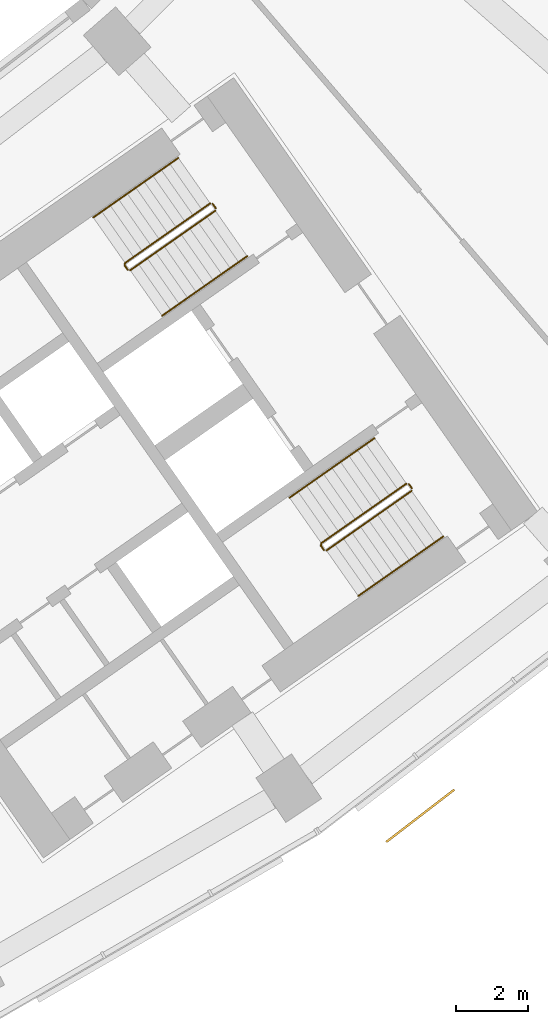
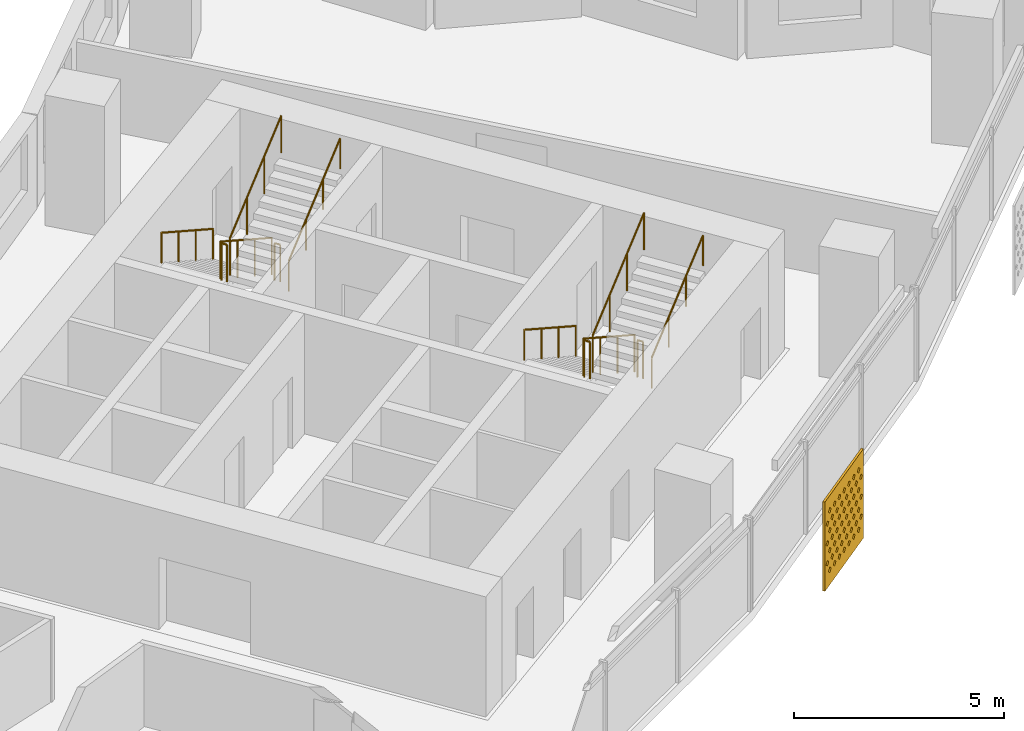
# One storey, part 28 of 29: 10 railings, 1 shading device.
"""IFC4 building model written with IfcOpenShell, lengths in metres."""

from ifc_helpers import new_model, si_unit, direction, frame, origin, origin_2d, place, context, subcontext, project, spatial, polyline, circle, outline, extrude, material, material_profile, profile_set, type_object, element, save


model = new_model("IFC4")

# Units and contexts
model_context = context("Model", 3, precision=1e-05, world=origin(), true_north=direction((0.0, 1.0)))
body_context = subcontext(model_context, "Body", "Model", "MODEL_VIEW")
ifc_project = project(units=[si_unit("LENGTHUNIT", "METRE"), si_unit("AREAUNIT", "SQUARE_METRE"), si_unit("VOLUMEUNIT", "CUBIC_METRE"), si_unit("PLANEANGLEUNIT", "RADIAN"), si_unit("MASSUNIT", "GRAM", prefix="KILO")], contexts=[model_context])

# Site, building, storey
site_placement = place(None, origin())
site = spatial("IfcSite", under=ifc_project, at=site_placement, CompositionType="ELEMENT")
building_placement = place(site_placement, origin())
building = spatial("IfcBuilding", under=site, at=building_placement, Name="Qamariyya Broadcast Tower", CompositionType="ELEMENT")
storey_placement = place(building_placement, frame((0.0, 0.0, 113.89990234375)))
storey = spatial("IfcBuildingStorey", under=building, at=storey_placement, Name="L25", CompositionType="ELEMENT", Elevation=113.89990234375)

# Shading device
ifc_material_1 = material(Name="Perforated glazed terracotta", Category="masonry")
ifc_material_profile = material_profile(ifc_material_1, outline(polyline([(-1.199951171875, -1.300048828125), (1.199951171875, -1.300048828125), (1.199951171875, 1.300048828125), (-1.199951171875, 1.300048828125), (-1.199951171875, -1.300048828125)]), holes=[polyline([(-0.81494140625, -0.86669921875), (-0.89990234375, -0.78173828125), (-0.985107421875, -0.86669921875), (-0.89990234375, -0.95166015625), (-0.81494140625, -0.86669921875)]), polyline([(-0.514892578125, -0.86669921875), (-0.60009765625, -0.78173828125), (-0.68505859375, -0.86669921875), (-0.60009765625, -0.95166015625), (-0.514892578125, -0.86669921875)]), polyline([(-0.215087890625, -0.86669921875), (-0.300048828125, -0.78173828125), (-0.385009765625, -0.86669921875), (-0.300048828125, -0.95166015625), (-0.215087890625, -0.86669921875)]), polyline([(0.0849609375, -0.86669921875), (0.0, -0.78173828125), (-0.0849609375, -0.86669921875), (0.0, -0.95166015625), (0.0849609375, -0.86669921875)]), polyline([(0.385009765625, -0.86669921875), (0.300048828125, -0.78173828125), (0.215087890625, -0.86669921875), (0.300048828125, -0.95166015625), (0.385009765625, -0.86669921875)]), polyline([(0.68505859375, -0.86669921875), (0.60009765625, -0.78173828125), (0.514892578125, -0.86669921875), (0.60009765625, -0.95166015625), (0.68505859375, -0.86669921875)]), polyline([(0.985107421875, -0.86669921875), (0.89990234375, -0.78173828125), (0.81494140625, -0.86669921875), (0.89990234375, -0.95166015625), (0.985107421875, -0.86669921875)]), polyline([(-0.965087890625, -0.577880859375), (-1.050048828125, -0.49267578125), (-1.135009765625, -0.577880859375), (-1.050048828125, -0.662841796875), (-0.965087890625, -0.577880859375)]), polyline([(-0.6650390625, -0.577880859375), (-0.75, -0.49267578125), (-0.8349609375, -0.577880859375), (-0.75, -0.662841796875), (-0.6650390625, -0.577880859375)]), polyline([(-0.364990234375, -0.577880859375), (-0.449951171875, -0.49267578125), (-0.534912109375, -0.577880859375), (-0.449951171875, -0.662841796875), (-0.364990234375, -0.577880859375)]), polyline([(-0.06494140625, -0.577880859375), (-0.14990234375, -0.49267578125), (-0.235107421875, -0.577880859375), (-0.14990234375, -0.662841796875), (-0.06494140625, -0.577880859375)]), polyline([(0.235107421875, -0.577880859375), (0.14990234375, -0.49267578125), (0.06494140625, -0.577880859375), (0.14990234375, -0.662841796875), (0.235107421875, -0.577880859375)]), polyline([(0.534912109375, -0.577880859375), (0.449951171875, -0.49267578125), (0.364990234375, -0.577880859375), (0.449951171875, -0.662841796875), (0.534912109375, -0.577880859375)]), polyline([(0.8349609375, -0.577880859375), (0.75, -0.49267578125), (0.6650390625, -0.577880859375), (0.75, -0.662841796875), (0.8349609375, -0.577880859375)]), polyline([(1.135009765625, -0.577880859375), (1.050048828125, -0.49267578125), (0.965087890625, -0.577880859375), (1.050048828125, -0.662841796875), (1.135009765625, -0.577880859375)]), polyline([(-0.81494140625, -0.288818359375), (-0.89990234375, -0.203857421875), (-0.985107421875, -0.288818359375), (-0.89990234375, -0.373779296875), (-0.81494140625, -0.288818359375)]), polyline([(-0.514892578125, -0.288818359375), (-0.60009765625, -0.203857421875), (-0.68505859375, -0.288818359375), (-0.60009765625, -0.373779296875), (-0.514892578125, -0.288818359375)]), polyline([(-0.215087890625, -0.288818359375), (-0.300048828125, -0.203857421875), (-0.385009765625, -0.288818359375), (-0.300048828125, -0.373779296875), (-0.215087890625, -0.288818359375)]), polyline([(0.0849609375, -0.288818359375), (0.0, -0.203857421875), (-0.0849609375, -0.288818359375), (0.0, -0.373779296875), (0.0849609375, -0.288818359375)]), polyline([(0.385009765625, -0.288818359375), (0.300048828125, -0.203857421875), (0.215087890625, -0.288818359375), (0.300048828125, -0.373779296875), (0.385009765625, -0.288818359375)]), polyline([(0.68505859375, -0.288818359375), (0.60009765625, -0.203857421875), (0.514892578125, -0.288818359375), (0.60009765625, -0.373779296875), (0.68505859375, -0.288818359375)]), polyline([(0.985107421875, -0.288818359375), (0.89990234375, -0.203857421875), (0.81494140625, -0.288818359375), (0.89990234375, -0.373779296875), (0.985107421875, -0.288818359375)]), polyline([(-0.965087890625, 0.0), (-1.050048828125, 0.0849609375), (-1.135009765625, 0.0), (-1.050048828125, -0.0849609375), (-0.965087890625, 0.0)]), polyline([(-0.6650390625, 0.0), (-0.75, 0.0849609375), (-0.8349609375, 0.0), (-0.75, -0.0849609375), (-0.6650390625, 0.0)]), polyline([(-0.364990234375, 0.0), (-0.449951171875, 0.0849609375), (-0.534912109375, 0.0), (-0.449951171875, -0.0849609375), (-0.364990234375, 0.0)]), polyline([(-0.06494140625, 0.0), (-0.14990234375, 0.0849609375), (-0.235107421875, 0.0), (-0.14990234375, -0.0849609375), (-0.06494140625, 0.0)]), polyline([(0.235107421875, 0.0), (0.14990234375, 0.0849609375), (0.06494140625, 0.0), (0.14990234375, -0.0849609375), (0.235107421875, 0.0)]), polyline([(0.534912109375, 0.0), (0.449951171875, 0.0849609375), (0.364990234375, 0.0), (0.449951171875, -0.0849609375), (0.534912109375, 0.0)]), polyline([(0.8349609375, 0.0), (0.75, 0.0849609375), (0.6650390625, 0.0), (0.75, -0.0849609375), (0.8349609375, 0.0)]), polyline([(1.135009765625, 0.0), (1.050048828125, 0.0849609375), (0.965087890625, 0.0), (1.050048828125, -0.0849609375), (1.135009765625, 0.0)]), polyline([(-0.81494140625, 0.288818359375), (-0.89990234375, 0.373779296875), (-0.985107421875, 0.288818359375), (-0.89990234375, 0.203857421875), (-0.81494140625, 0.288818359375)]), polyline([(-0.514892578125, 0.288818359375), (-0.60009765625, 0.373779296875), (-0.68505859375, 0.288818359375), (-0.60009765625, 0.203857421875), (-0.514892578125, 0.288818359375)]), polyline([(-0.215087890625, 0.288818359375), (-0.300048828125, 0.373779296875), (-0.385009765625, 0.288818359375), (-0.300048828125, 0.203857421875), (-0.215087890625, 0.288818359375)]), polyline([(0.0849609375, 0.288818359375), (0.0, 0.373779296875), (-0.0849609375, 0.288818359375), (0.0, 0.203857421875), (0.0849609375, 0.288818359375)]), polyline([(0.385009765625, 0.288818359375), (0.300048828125, 0.373779296875), (0.215087890625, 0.288818359375), (0.300048828125, 0.203857421875), (0.385009765625, 0.288818359375)]), polyline([(0.68505859375, 0.288818359375), (0.60009765625, 0.373779296875), (0.514892578125, 0.288818359375), (0.60009765625, 0.203857421875), (0.68505859375, 0.288818359375)]), polyline([(0.985107421875, 0.288818359375), (0.89990234375, 0.373779296875), (0.81494140625, 0.288818359375), (0.89990234375, 0.203857421875), (0.985107421875, 0.288818359375)]), polyline([(-0.965087890625, 0.577880859375), (-1.050048828125, 0.662841796875), (-1.135009765625, 0.577880859375), (-1.050048828125, 0.49267578125), (-0.965087890625, 0.577880859375)]), polyline([(-0.6650390625, 0.577880859375), (-0.75, 0.662841796875), (-0.8349609375, 0.577880859375), (-0.75, 0.49267578125), (-0.6650390625, 0.577880859375)]), polyline([(-0.364990234375, 0.577880859375), (-0.449951171875, 0.662841796875), (-0.534912109375, 0.577880859375), (-0.449951171875, 0.49267578125), (-0.364990234375, 0.577880859375)]), polyline([(-0.06494140625, 0.577880859375), (-0.14990234375, 0.662841796875), (-0.235107421875, 0.577880859375), (-0.14990234375, 0.49267578125), (-0.06494140625, 0.577880859375)]), polyline([(0.235107421875, 0.577880859375), (0.14990234375, 0.662841796875), (0.06494140625, 0.577880859375), (0.14990234375, 0.49267578125), (0.235107421875, 0.577880859375)]), polyline([(0.534912109375, 0.577880859375), (0.449951171875, 0.662841796875), (0.364990234375, 0.577880859375), (0.449951171875, 0.49267578125), (0.534912109375, 0.577880859375)]), polyline([(0.8349609375, 0.577880859375), (0.75, 0.662841796875), (0.6650390625, 0.577880859375), (0.75, 0.49267578125), (0.8349609375, 0.577880859375)]), polyline([(1.135009765625, 0.577880859375), (1.050048828125, 0.662841796875), (0.965087890625, 0.577880859375), (1.050048828125, 0.49267578125), (1.135009765625, 0.577880859375)]), polyline([(-0.81494140625, 0.86669921875), (-0.89990234375, 0.95166015625), (-0.985107421875, 0.86669921875), (-0.89990234375, 0.78173828125), (-0.81494140625, 0.86669921875)]), polyline([(-0.514892578125, 0.86669921875), (-0.60009765625, 0.95166015625), (-0.68505859375, 0.86669921875), (-0.60009765625, 0.78173828125), (-0.514892578125, 0.86669921875)]), polyline([(-0.215087890625, 0.86669921875), (-0.300048828125, 0.95166015625), (-0.385009765625, 0.86669921875), (-0.300048828125, 0.78173828125), (-0.215087890625, 0.86669921875)]), polyline([(0.0849609375, 0.86669921875), (0.0, 0.95166015625), (-0.0849609375, 0.86669921875), (0.0, 0.78173828125), (0.0849609375, 0.86669921875)]), polyline([(0.385009765625, 0.86669921875), (0.300048828125, 0.95166015625), (0.215087890625, 0.86669921875), (0.300048828125, 0.78173828125), (0.385009765625, 0.86669921875)]), polyline([(0.68505859375, 0.86669921875), (0.60009765625, 0.95166015625), (0.514892578125, 0.86669921875), (0.60009765625, 0.78173828125), (0.68505859375, 0.86669921875)]), polyline([(0.985107421875, 0.86669921875), (0.89990234375, 0.95166015625), (0.81494140625, 0.86669921875), (0.89990234375, 0.78173828125), (0.985107421875, 0.86669921875)])]))
ifc_profile_set = profile_set([ifc_material_profile], Name="Perforated glazed terracotta")
shading_device_type = type_object("IfcShadingDeviceType", Name="Perforated terracotta screen 2400 x 2600", PredefinedType="USERDEFINED", material=ifc_profile_set)
shading_device_placement = place(storey_placement, frame((46.85009765625, -65.392822265625, 1.35009765625), z_axis=(0.60971076085, -0.792623989105, 0.0), x_axis=(0.792623989105, 0.60971076085, 0.0)))
element("IfcShadingDevice", 1, at=shading_device_placement, inside=storey, type_object=shading_device_type, Name="e-scr-L25-14-0", ObjectType="SCREEN", PredefinedType="USERDEFINED", context=body_context, shape_type="SweptSolid", body=[
    extrude(outline(polyline([(-1.199951171875, -1.300048828125), (1.199951171875, -1.300048828125), (1.199951171875, 1.300048828125), (-1.199951171875, 1.300048828125), (-1.199951171875, -1.300048828125)]), holes=[polyline([(-0.81494140625, -0.86669921875), (-0.89990234375, -0.78173828125), (-0.985107421875, -0.86669921875), (-0.89990234375, -0.95166015625), (-0.81494140625, -0.86669921875)]), polyline([(-0.514892578125, -0.86669921875), (-0.60009765625, -0.78173828125), (-0.68505859375, -0.86669921875), (-0.60009765625, -0.95166015625), (-0.514892578125, -0.86669921875)]), polyline([(-0.215087890625, -0.86669921875), (-0.300048828125, -0.78173828125), (-0.385009765625, -0.86669921875), (-0.300048828125, -0.95166015625), (-0.215087890625, -0.86669921875)]), polyline([(0.0849609375, -0.86669921875), (0.0, -0.78173828125), (-0.0849609375, -0.86669921875), (0.0, -0.95166015625), (0.0849609375, -0.86669921875)]), polyline([(0.385009765625, -0.86669921875), (0.300048828125, -0.78173828125), (0.215087890625, -0.86669921875), (0.300048828125, -0.95166015625), (0.385009765625, -0.86669921875)]), polyline([(0.68505859375, -0.86669921875), (0.60009765625, -0.78173828125), (0.514892578125, -0.86669921875), (0.60009765625, -0.95166015625), (0.68505859375, -0.86669921875)]), polyline([(0.985107421875, -0.86669921875), (0.89990234375, -0.78173828125), (0.81494140625, -0.86669921875), (0.89990234375, -0.95166015625), (0.985107421875, -0.86669921875)]), polyline([(-0.965087890625, -0.577880859375), (-1.050048828125, -0.49267578125), (-1.135009765625, -0.577880859375), (-1.050048828125, -0.662841796875), (-0.965087890625, -0.577880859375)]), polyline([(-0.6650390625, -0.577880859375), (-0.75, -0.49267578125), (-0.8349609375, -0.577880859375), (-0.75, -0.662841796875), (-0.6650390625, -0.577880859375)]), polyline([(-0.364990234375, -0.577880859375), (-0.449951171875, -0.49267578125), (-0.534912109375, -0.577880859375), (-0.449951171875, -0.662841796875), (-0.364990234375, -0.577880859375)]), polyline([(-0.06494140625, -0.577880859375), (-0.14990234375, -0.49267578125), (-0.235107421875, -0.577880859375), (-0.14990234375, -0.662841796875), (-0.06494140625, -0.577880859375)]), polyline([(0.235107421875, -0.577880859375), (0.14990234375, -0.49267578125), (0.06494140625, -0.577880859375), (0.14990234375, -0.662841796875), (0.235107421875, -0.577880859375)]), polyline([(0.534912109375, -0.577880859375), (0.449951171875, -0.49267578125), (0.364990234375, -0.577880859375), (0.449951171875, -0.662841796875), (0.534912109375, -0.577880859375)]), polyline([(0.8349609375, -0.577880859375), (0.75, -0.49267578125), (0.6650390625, -0.577880859375), (0.75, -0.662841796875), (0.8349609375, -0.577880859375)]), polyline([(1.135009765625, -0.577880859375), (1.050048828125, -0.49267578125), (0.965087890625, -0.577880859375), (1.050048828125, -0.662841796875), (1.135009765625, -0.577880859375)]), polyline([(-0.81494140625, -0.288818359375), (-0.89990234375, -0.203857421875), (-0.985107421875, -0.288818359375), (-0.89990234375, -0.373779296875), (-0.81494140625, -0.288818359375)]), polyline([(-0.514892578125, -0.288818359375), (-0.60009765625, -0.203857421875), (-0.68505859375, -0.288818359375), (-0.60009765625, -0.373779296875), (-0.514892578125, -0.288818359375)]), polyline([(-0.215087890625, -0.288818359375), (-0.300048828125, -0.203857421875), (-0.385009765625, -0.288818359375), (-0.300048828125, -0.373779296875), (-0.215087890625, -0.288818359375)]), polyline([(0.0849609375, -0.288818359375), (0.0, -0.203857421875), (-0.0849609375, -0.288818359375), (0.0, -0.373779296875), (0.0849609375, -0.288818359375)]), polyline([(0.385009765625, -0.288818359375), (0.300048828125, -0.203857421875), (0.215087890625, -0.288818359375), (0.300048828125, -0.373779296875), (0.385009765625, -0.288818359375)]), polyline([(0.68505859375, -0.288818359375), (0.60009765625, -0.203857421875), (0.514892578125, -0.288818359375), (0.60009765625, -0.373779296875), (0.68505859375, -0.288818359375)]), polyline([(0.985107421875, -0.288818359375), (0.89990234375, -0.203857421875), (0.81494140625, -0.288818359375), (0.89990234375, -0.373779296875), (0.985107421875, -0.288818359375)]), polyline([(-0.965087890625, 0.0), (-1.050048828125, 0.0849609375), (-1.135009765625, 0.0), (-1.050048828125, -0.0849609375), (-0.965087890625, 0.0)]), polyline([(-0.6650390625, 0.0), (-0.75, 0.0849609375), (-0.8349609375, 0.0), (-0.75, -0.0849609375), (-0.6650390625, 0.0)]), polyline([(-0.364990234375, 0.0), (-0.449951171875, 0.0849609375), (-0.534912109375, 0.0), (-0.449951171875, -0.0849609375), (-0.364990234375, 0.0)]), polyline([(-0.06494140625, 0.0), (-0.14990234375, 0.0849609375), (-0.235107421875, 0.0), (-0.14990234375, -0.0849609375), (-0.06494140625, 0.0)]), polyline([(0.235107421875, 0.0), (0.14990234375, 0.0849609375), (0.06494140625, 0.0), (0.14990234375, -0.0849609375), (0.235107421875, 0.0)]), polyline([(0.534912109375, 0.0), (0.449951171875, 0.0849609375), (0.364990234375, 0.0), (0.449951171875, -0.0849609375), (0.534912109375, 0.0)]), polyline([(0.8349609375, 0.0), (0.75, 0.0849609375), (0.6650390625, 0.0), (0.75, -0.0849609375), (0.8349609375, 0.0)]), polyline([(1.135009765625, 0.0), (1.050048828125, 0.0849609375), (0.965087890625, 0.0), (1.050048828125, -0.0849609375), (1.135009765625, 0.0)]), polyline([(-0.81494140625, 0.288818359375), (-0.89990234375, 0.373779296875), (-0.985107421875, 0.288818359375), (-0.89990234375, 0.203857421875), (-0.81494140625, 0.288818359375)]), polyline([(-0.514892578125, 0.288818359375), (-0.60009765625, 0.373779296875), (-0.68505859375, 0.288818359375), (-0.60009765625, 0.203857421875), (-0.514892578125, 0.288818359375)]), polyline([(-0.215087890625, 0.288818359375), (-0.300048828125, 0.373779296875), (-0.385009765625, 0.288818359375), (-0.300048828125, 0.203857421875), (-0.215087890625, 0.288818359375)]), polyline([(0.0849609375, 0.288818359375), (0.0, 0.373779296875), (-0.0849609375, 0.288818359375), (0.0, 0.203857421875), (0.0849609375, 0.288818359375)]), polyline([(0.385009765625, 0.288818359375), (0.300048828125, 0.373779296875), (0.215087890625, 0.288818359375), (0.300048828125, 0.203857421875), (0.385009765625, 0.288818359375)]), polyline([(0.68505859375, 0.288818359375), (0.60009765625, 0.373779296875), (0.514892578125, 0.288818359375), (0.60009765625, 0.203857421875), (0.68505859375, 0.288818359375)]), polyline([(0.985107421875, 0.288818359375), (0.89990234375, 0.373779296875), (0.81494140625, 0.288818359375), (0.89990234375, 0.203857421875), (0.985107421875, 0.288818359375)]), polyline([(-0.965087890625, 0.577880859375), (-1.050048828125, 0.662841796875), (-1.135009765625, 0.577880859375), (-1.050048828125, 0.49267578125), (-0.965087890625, 0.577880859375)]), polyline([(-0.6650390625, 0.577880859375), (-0.75, 0.662841796875), (-0.8349609375, 0.577880859375), (-0.75, 0.49267578125), (-0.6650390625, 0.577880859375)]), polyline([(-0.364990234375, 0.577880859375), (-0.449951171875, 0.662841796875), (-0.534912109375, 0.577880859375), (-0.449951171875, 0.49267578125), (-0.364990234375, 0.577880859375)]), polyline([(-0.06494140625, 0.577880859375), (-0.14990234375, 0.662841796875), (-0.235107421875, 0.577880859375), (-0.14990234375, 0.49267578125), (-0.06494140625, 0.577880859375)]), polyline([(0.235107421875, 0.577880859375), (0.14990234375, 0.662841796875), (0.06494140625, 0.577880859375), (0.14990234375, 0.49267578125), (0.235107421875, 0.577880859375)]), polyline([(0.534912109375, 0.577880859375), (0.449951171875, 0.662841796875), (0.364990234375, 0.577880859375), (0.449951171875, 0.49267578125), (0.534912109375, 0.577880859375)]), polyline([(0.8349609375, 0.577880859375), (0.75, 0.662841796875), (0.6650390625, 0.577880859375), (0.75, 0.49267578125), (0.8349609375, 0.577880859375)]), polyline([(1.135009765625, 0.577880859375), (1.050048828125, 0.662841796875), (0.965087890625, 0.577880859375), (1.050048828125, 0.49267578125), (1.135009765625, 0.577880859375)]), polyline([(-0.81494140625, 0.86669921875), (-0.89990234375, 0.95166015625), (-0.985107421875, 0.86669921875), (-0.89990234375, 0.78173828125), (-0.81494140625, 0.86669921875)]), polyline([(-0.514892578125, 0.86669921875), (-0.60009765625, 0.95166015625), (-0.68505859375, 0.86669921875), (-0.60009765625, 0.78173828125), (-0.514892578125, 0.86669921875)]), polyline([(-0.215087890625, 0.86669921875), (-0.300048828125, 0.95166015625), (-0.385009765625, 0.86669921875), (-0.300048828125, 0.78173828125), (-0.215087890625, 0.86669921875)]), polyline([(0.0849609375, 0.86669921875), (0.0, 0.95166015625), (-0.0849609375, 0.86669921875), (0.0, 0.78173828125), (0.0849609375, 0.86669921875)]), polyline([(0.385009765625, 0.86669921875), (0.300048828125, 0.95166015625), (0.215087890625, 0.86669921875), (0.300048828125, 0.78173828125), (0.385009765625, 0.86669921875)]), polyline([(0.68505859375, 0.86669921875), (0.60009765625, 0.95166015625), (0.514892578125, 0.86669921875), (0.60009765625, 0.78173828125), (0.68505859375, 0.86669921875)]), polyline([(0.985107421875, 0.86669921875), (0.89990234375, 0.95166015625), (0.81494140625, 0.86669921875), (0.89990234375, 0.78173828125), (0.985107421875, 0.86669921875)])]), origin(), (0.0, 0.0, 1.0), 0.06005859375),
])

# Railings
ifc_material_2 = material(Name="Painted steel", Category="steel")
railing_type_1 = type_object("IfcRailingType", Name="Stair guard", PredefinedType="GUARDRAIL", material=ifc_material_2)
railing_1_placement = place(storey_placement, frame((41.003173828125, -48.320068359375, 0.1728515625)))
element("IfcRailing", 2, at=railing_1_placement, inside=storey, type_object=railing_type_1, Name="L25 ST-E2 stair guard 1", PredefinedType="GUARDRAIL", context=body_context, shape_type="SweptSolid", body=[
    extrude(circle(Radius=0.02392578125, at=origin_2d()), frame((0.0, 0.0, 1.076171875), z_axis=(-0.703770094002, -0.492783725636, 0.511734163933), x_axis=(0.573575343427, -0.819152809562, 0.0)), (0.0, 0.0, 1.0), 3.37548828125),
    extrude(circle(Radius=0.02392578125, at=origin_2d()), frame((-2.37548828125, -1.663330078125, 2.80322265625), z_axis=(-0.172799478008, -0.984957024646, 0.0), x_axis=(0.984957024646, -0.172799478008, 0.0)), (0.0, 0.0, 1.0), 0.070556640625),
    extrude(circle(Radius=0.02392578125, at=origin_2d()), frame((-2.3876953125, -1.73291015625, 2.80322265625), z_axis=(0.572588637393, -0.819842821722, 0.0), x_axis=(0.819842821722, 0.572588637393, 0.0)), (0.0, 0.0, 1.0), 0.150146484375),
    extrude(circle(Radius=0.02099609375, at=origin_2d()), origin(), (0.0, 0.0, 1.0), 1.052001953125),
    extrude(circle(Radius=0.02099609375, at=origin_2d()), frame((-0.791748046875, -0.554443359375, 0.57568359375)), (0.0, 0.0, 1.0), 1.052001953125),
    extrude(circle(Radius=0.02099609375, at=origin_2d()), frame((-1.583740234375, -1.10888671875, 1.151611328125)), (0.0, 0.0, 1.0), 1.052001953125),
    extrude(circle(Radius=0.02099609375, at=origin_2d()), frame((-2.37548828125, -1.663330078125, 1.727294921875)), (0.0, 0.0, 1.0), 1.052001953125),
    extrude(circle(Radius=0.02099609375, at=origin_2d()), frame((-2.3876953125, -1.73291015625, 1.727294921875)), (0.0, 0.0, 1.0), 1.052001953125),
    extrude(circle(Radius=0.02099609375, at=origin_2d()), frame((-2.3017578125, -1.85595703125, 1.727294921875)), (0.0, 0.0, 1.0), 1.052001953125),
])
railing_2_placement = place(storey_placement, frame((38.771240234375, -50.188232421875, 2.07275390625)))
element("IfcRailing", 3, at=railing_2_placement, inside=storey, type_object=railing_type_1, Name="L25 ST-E2 stair guard 2", PredefinedType="GUARDRAIL", context=body_context, shape_type="SweptSolid", body=[
    extrude(circle(Radius=0.02392578125, at=origin_2d()), frame((0.0, 0.0, 1.076171875), z_axis=(0.703770094002, 0.492783725636, 0.511734163933), x_axis=(-0.573575343427, 0.819152809562, 0.0)), (0.0, 0.0, 1.0), 3.37548828125),
    extrude(circle(Radius=0.02099609375, at=origin_2d()), origin(), (0.0, 0.0, 1.0), 1.052001953125),
    extrude(circle(Radius=0.02099609375, at=origin_2d()), frame((0.791748046875, 0.554443359375, 0.57568359375)), (0.0, 0.0, 1.0), 1.052001953125),
    extrude(circle(Radius=0.02099609375, at=origin_2d()), frame((1.583740234375, 1.10888671875, 1.151611328125)), (0.0, 0.0, 1.0), 1.052001953125),
    extrude(circle(Radius=0.02099609375, at=origin_2d()), frame((2.37548828125, 1.663330078125, 1.727294921875)), (0.0, 0.0, 1.0), 1.052001953125),
])
railing_3_placement = place(storey_placement, frame((41.072998046875, -48.332275390625, 0.0)))
element("IfcRailing", 4, at=railing_3_placement, inside=storey, type_object=railing_type_1, Name="L25 ST-E2 stair guard 3", PredefinedType="GUARDRAIL", context=body_context, shape_type="SweptSolid", body=[
    extrude(circle(Radius=0.02392578125, at=origin_2d()), frame((0.0, 0.0, 1.076171875), z_axis=(0.572588637393, -0.819842821722, 0.0), x_axis=(0.819842821722, 0.572588637393, 0.0)), (0.0, 0.0, 1.0), 0.150146484375),
    extrude(circle(Radius=0.02099609375, at=origin_2d()), origin(), (0.0, 0.0, 1.0), 1.052001953125),
    extrude(circle(Radius=0.02099609375, at=origin_2d()), frame((0.0859375, -0.123046875, 0.0)), (0.0, 0.0, 1.0), 1.052001953125),
])
railing_4_placement = place(storey_placement, frame((46.48095703125, -56.14306640625, 0.1728515625)))
element("IfcRailing", 5, at=railing_4_placement, inside=storey, type_object=railing_type_1, Name="L25 ST-E1 stair guard 1", PredefinedType="GUARDRAIL", context=body_context, shape_type="SweptSolid", body=[
    extrude(circle(Radius=0.02392578125, at=origin_2d()), frame((0.0, 0.0, 1.076171875), z_axis=(-0.703770094002, -0.492783725636, 0.511734163933), x_axis=(0.573575343427, -0.819152809562, 0.0)), (0.0, 0.0, 1.0), 3.37548828125),
    extrude(circle(Radius=0.02392578125, at=origin_2d()), frame((-2.37548828125, -1.663330078125, 2.80322265625), z_axis=(-0.176149252506, -0.984363469884, 0.0), x_axis=(0.984363469884, -0.176149252506, 0.0)), (0.0, 0.0, 1.0), 0.07080078125),
    extrude(circle(Radius=0.02392578125, at=origin_2d()), frame((-2.387939453125, -1.73291015625, 2.80322265625), z_axis=(0.574444878118, -0.818543268254, 0.0), x_axis=(0.818543268254, 0.574444878118, 0.0)), (0.0, 0.0, 1.0), 0.150146484375),
    extrude(circle(Radius=0.02099609375, at=origin_2d()), origin(), (0.0, 0.0, 1.0), 1.052001953125),
    extrude(circle(Radius=0.02099609375, at=origin_2d()), frame((-0.791748046875, -0.554443359375, 0.57568359375)), (0.0, 0.0, 1.0), 1.052001953125),
    extrude(circle(Radius=0.02099609375, at=origin_2d()), frame((-1.583740234375, -1.10888671875, 1.151611328125)), (0.0, 0.0, 1.0), 1.052001953125),
    extrude(circle(Radius=0.02099609375, at=origin_2d()), frame((-2.37548828125, -1.663330078125, 1.727294921875)), (0.0, 0.0, 1.0), 1.052001953125),
    extrude(circle(Radius=0.02099609375, at=origin_2d()), frame((-2.387939453125, -1.73291015625, 1.727294921875)), (0.0, 0.0, 1.0), 1.052001953125),
    extrude(circle(Radius=0.02099609375, at=origin_2d()), frame((-2.3017578125, -1.855712890625, 1.727294921875)), (0.0, 0.0, 1.0), 1.052001953125),
])
railing_5_placement = place(storey_placement, frame((44.248779296875, -58.01123046875, 2.07275390625)))
element("IfcRailing", 6, at=railing_5_placement, inside=storey, type_object=railing_type_1, Name="L25 ST-E1 stair guard 2", PredefinedType="GUARDRAIL", context=body_context, shape_type="SweptSolid", body=[
    extrude(circle(Radius=0.02392578125, at=origin_2d()), frame((0.0, 0.0, 1.076171875), z_axis=(0.703745009021, 0.492838488332, 0.511715923826), x_axis=(-0.573631830683, 0.819113253969, 0.0)), (0.0, 0.0, 1.0), 3.37548828125),
    extrude(circle(Radius=0.02099609375, at=origin_2d()), origin(), (0.0, 0.0, 1.0), 1.052001953125),
    extrude(circle(Radius=0.02099609375, at=origin_2d()), frame((0.791748046875, 0.554443359375, 0.57568359375)), (0.0, 0.0, 1.0), 1.052001953125),
    extrude(circle(Radius=0.02099609375, at=origin_2d()), frame((1.583740234375, 1.109130859375, 1.151611328125)), (0.0, 0.0, 1.0), 1.052001953125),
    extrude(circle(Radius=0.02099609375, at=origin_2d()), frame((2.37548828125, 1.66357421875, 1.727294921875)), (0.0, 0.0, 1.0), 1.052001953125),
])
railing_6_placement = place(storey_placement, frame((46.550537109375, -56.1552734375, 0.0)))
element("IfcRailing", 7, at=railing_6_placement, inside=storey, type_object=railing_type_1, Name="L25 ST-E1 stair guard 3", PredefinedType="GUARDRAIL", context=body_context, shape_type="SweptSolid", body=[
    extrude(circle(Radius=0.02392578125, at=origin_2d()), frame((0.0, 0.0, 1.076171875), z_axis=(0.574444878118, -0.818543268254, 0.0), x_axis=(0.818543268254, 0.574444878118, 0.0)), (0.0, 0.0, 1.0), 0.150146484375),
    extrude(circle(Radius=0.02099609375, at=origin_2d()), origin(), (0.0, 0.0, 1.0), 1.052001953125),
    extrude(circle(Radius=0.02099609375, at=origin_2d()), frame((0.086181640625, -0.122802734375, 0.0)), (0.0, 0.0, 1.0), 1.052001953125),
])
ifc_material_3 = material(Name="Stainless steel", Category="steel")
railing_type_2 = type_object("IfcRailingType", Name="Stair handrail", PredefinedType="HANDRAIL", material=ifc_material_3)
railing_7_placement = place(storey_placement, frame((40.1142578125, -47.05029296875, 0.1728515625)))
element("IfcRailing", 8, at=railing_7_placement, inside=storey, type_object=railing_type_2, Name="L25 ST-E2 stair handrail 1", PredefinedType="HANDRAIL", context=body_context, shape_type="SweptSolid", body=[
    extrude(circle(Radius=0.02392578125, at=origin_2d()), frame((0.0, 0.0, 0.8759765625), z_axis=(-0.703745009021, -0.492838488332, 0.511715923826), x_axis=(0.573631830683, -0.819113253969, 0.0)), (0.0, 0.0, 1.0), 3.37548828125),
    extrude(circle(Radius=0.02099609375, at=origin_2d()), origin(), (0.0, 0.0, 1.0), 0.851806640625),
    extrude(circle(Radius=0.02099609375, at=origin_2d()), frame((-0.791748046875, -0.554443359375, 0.57568359375)), (0.0, 0.0, 1.0), 0.851806640625),
    extrude(circle(Radius=0.02099609375, at=origin_2d()), frame((-1.583740234375, -1.109130859375, 1.151611328125)), (0.0, 0.0, 1.0), 0.851806640625),
    extrude(circle(Radius=0.02099609375, at=origin_2d()), frame((-2.37548828125, -1.66357421875, 1.727294921875)), (0.0, 0.0, 1.0), 0.851806640625),
])
railing_8_placement = place(storey_placement, frame((39.66015625, -51.4580078125, 2.07275390625)))
element("IfcRailing", 9, at=railing_8_placement, inside=storey, type_object=railing_type_2, Name="L25 ST-E2 stair handrail 2", PredefinedType="HANDRAIL", context=body_context, shape_type="SweptSolid", body=[
    extrude(circle(Radius=0.02392578125, at=origin_2d()), frame((0.0, 0.0, 0.8759765625), z_axis=(0.703745009021, 0.492838488332, 0.511715923826), x_axis=(-0.573631830683, 0.819113253969, 0.0)), (0.0, 0.0, 1.0), 3.37548828125),
    extrude(circle(Radius=0.02099609375, at=origin_2d()), origin(), (0.0, 0.0, 1.0), 0.851806640625),
    extrude(circle(Radius=0.02099609375, at=origin_2d()), frame((0.791748046875, 0.554443359375, 0.57568359375)), (0.0, 0.0, 1.0), 0.851806640625),
    extrude(circle(Radius=0.02099609375, at=origin_2d()), frame((1.583740234375, 1.109130859375, 1.151611328125)), (0.0, 0.0, 1.0), 0.851806640625),
    extrude(circle(Radius=0.02099609375, at=origin_2d()), frame((2.37548828125, 1.66357421875, 1.727294921875)), (0.0, 0.0, 1.0), 0.851806640625),
])
railing_9_placement = place(storey_placement, frame((45.591796875, -54.873291015625, 0.1728515625)))
element("IfcRailing", 10, at=railing_9_placement, inside=storey, type_object=railing_type_2, Name="L25 ST-E1 stair handrail 1", PredefinedType="HANDRAIL", context=body_context, shape_type="SweptSolid", body=[
    extrude(circle(Radius=0.02392578125, at=origin_2d()), frame((0.0, 0.0, 0.8759765625), z_axis=(-0.703770094002, -0.492783725636, 0.511734163933), x_axis=(0.573575343427, -0.819152809562, 0.0)), (0.0, 0.0, 1.0), 3.37548828125),
    extrude(circle(Radius=0.02099609375, at=origin_2d()), origin(), (0.0, 0.0, 1.0), 0.851806640625),
    extrude(circle(Radius=0.02099609375, at=origin_2d()), frame((-0.791748046875, -0.554443359375, 0.57568359375)), (0.0, 0.0, 1.0), 0.851806640625),
    extrude(circle(Radius=0.02099609375, at=origin_2d()), frame((-1.583740234375, -1.10888671875, 1.151611328125)), (0.0, 0.0, 1.0), 0.851806640625),
    extrude(circle(Radius=0.02099609375, at=origin_2d()), frame((-2.37548828125, -1.663330078125, 1.727294921875)), (0.0, 0.0, 1.0), 0.851806640625),
])
railing_10_placement = place(storey_placement, frame((45.137939453125, -59.28076171875, 2.07275390625)))
element("IfcRailing", 11, at=railing_10_placement, inside=storey, type_object=railing_type_2, Name="L25 ST-E1 stair handrail 2", PredefinedType="HANDRAIL", context=body_context, shape_type="SweptSolid", body=[
    extrude(circle(Radius=0.02392578125, at=origin_2d()), frame((0.0, 0.0, 0.8759765625), z_axis=(0.703770094002, 0.492783725636, 0.511734163933), x_axis=(-0.573575343427, 0.819152809562, 0.0)), (0.0, 0.0, 1.0), 3.37548828125),
    extrude(circle(Radius=0.02099609375, at=origin_2d()), origin(), (0.0, 0.0, 1.0), 0.851806640625),
    extrude(circle(Radius=0.02099609375, at=origin_2d()), frame((0.791748046875, 0.554443359375, 0.57568359375)), (0.0, 0.0, 1.0), 0.851806640625),
    extrude(circle(Radius=0.02099609375, at=origin_2d()), frame((1.583740234375, 1.10888671875, 1.151611328125)), (0.0, 0.0, 1.0), 0.851806640625),
    extrude(circle(Radius=0.02099609375, at=origin_2d()), frame((2.37548828125, 1.663330078125, 1.727294921875)), (0.0, 0.0, 1.0), 0.851806640625),
])

save(model, "model.ifc")
